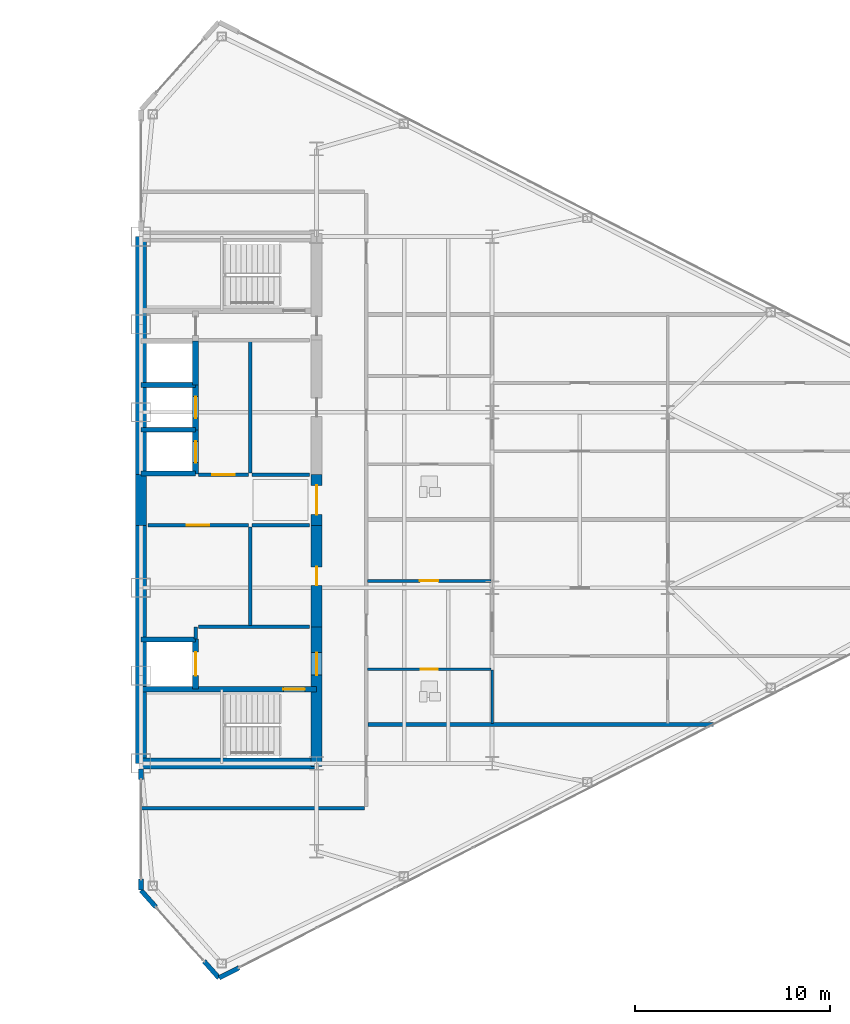
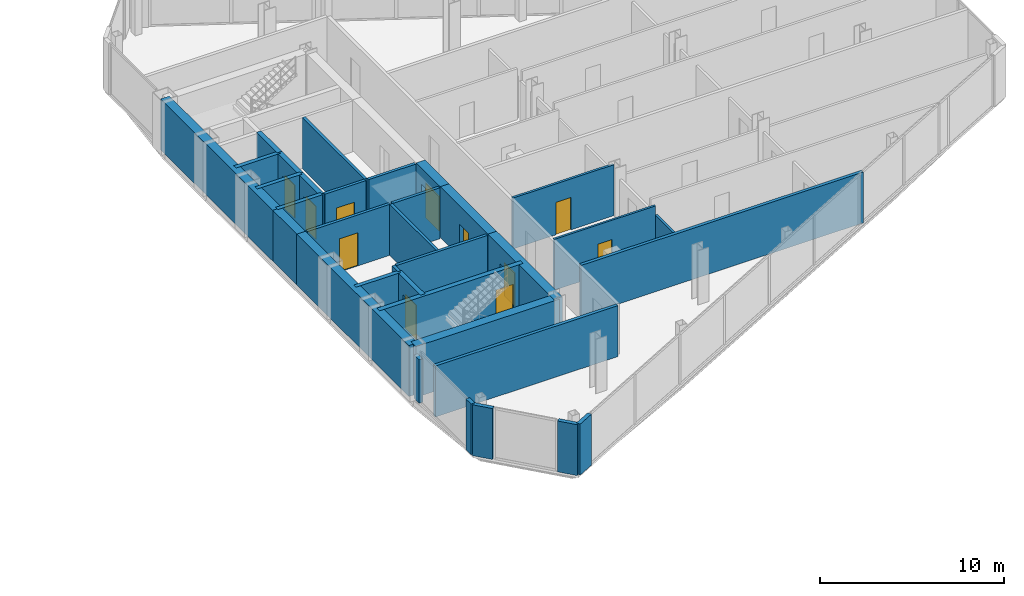
# One storey, part 18 of 23: 34 walls, 11 doors, 11 openings.
"""IFC4 building model written with IfcOpenShell, lengths in metres."""

from ifc_helpers import new_model, si_unit, direction, frame, frame_2d, origin, place, context, subcontext, project, spatial, rectangle, extrude, source, transform, mapped, material, layer, layer_set, type_object, type_shapes, element, fill, save


model = new_model("IFC4")

# Units and contexts
model_context = context("Model", 3, precision=1e-05, world=origin(), true_north=direction((0.0, 1.0)))
body_context = subcontext(model_context, "Body", "Model", "MODEL_VIEW")
ifc_project = project(units=[si_unit("LENGTHUNIT", "METRE"), si_unit("AREAUNIT", "SQUARE_METRE"), si_unit("VOLUMEUNIT", "CUBIC_METRE"), si_unit("PLANEANGLEUNIT", "RADIAN"), si_unit("MASSUNIT", "GRAM", prefix="KILO")], contexts=[model_context])

# Site, building, storey
site_placement = place(None, origin())
site = spatial("IfcSite", under=ifc_project, at=site_placement, CompositionType="ELEMENT")
building_placement = place(site_placement, origin())
building = spatial("IfcBuilding", under=site, at=building_placement, Name="Seokmaru Belvedere", CompositionType="ELEMENT")
storey_placement = place(building_placement, frame((0.0, 0.0, 144.0)))
storey = spatial("IfcBuildingStorey", under=building, at=storey_placement, Name="L38", CompositionType="ELEMENT", Elevation=144.0)

# Wall, opening, door
ifc_material_1 = material(Name="Fire-Rated Gypsum Shaftwall")
ifc_layer_1 = layer(ifc_material_1, 0.14990234375)
ifc_layer_set_1 = layer_set([ifc_layer_1], Name="Fire-Rated Gypsum Shaftwall")
wall_type_1 = type_object("IfcWallType", Name="Apartment Fire-Acoustic Room Partition 150", PredefinedType="PARTITIONING", material=ifc_layer_set_1)
wall_1_placement = place(storey_placement, frame((39.10009765625, -4.14990234375, 0.0), z_axis=(0.0, 0.0, 1.0), x_axis=(1.0, 0.0, 0.0)))
wall_1 = element("IfcWall", 1, at=wall_1_placement, inside=storey, type_object=wall_type_1, Name="L38 Interior Partition 014", PredefinedType="PARTITIONING", context=body_context, shape_type="SweptSolid", body=[
    extrude(rectangle(XDim=6.349853515625, YDim=0.14990234375, at=frame_2d((3.1748046875, 0.0))), origin(), (0.0, 0.0, 1.0), 3.3798828125),
])
opening_1_placement = place(wall_1_placement, frame((2.699951171875, 0.0, 0.0)))
opening_1 = element("IfcOpeningElement", 2, at=opening_1_placement, cuts=wall_1, Name="Opening D05", PredefinedType="OPENING", context=body_context, shape_type="SweptSolid", body=[
    extrude(rectangle(XDim=0.949951171875, YDim=2.14990234375, at=frame_2d((0.47509765625, 1.074951171875))), frame((0.0, 0.0849609375, 0.0), z_axis=(0.0, -1.0, 0.0), x_axis=(1.0, 0.0, 0.0)), (0.0, 0.0, 1.0), 0.169921875),
])
ifc_material_2 = material(Name="Engineered White Oak Timber", Category="wood")
door_type_1 = type_object("IfcDoorType", Name="Apartment Interior Fire-Rated Oak Door 950x2150", OperationType="NOTDEFINED", PredefinedType="DOOR", material=ifc_material_2)
shared_shape_1 = source(origin(), body_context, "Body", "SweptSolid", [
    extrude(rectangle(XDim=0.949951171875, YDim=2.14990234375, at=frame_2d((0.47509765625, 1.074951171875))), frame((0.0, 0.02490234375, 0.0), z_axis=(0.0, -1.0, 0.0), x_axis=(1.0, 0.0, 0.0)), (0.0, 0.0, 1.0), 0.050048828125),
])
type_shapes(door_type_1, [shared_shape_1])
door_1_placement = place(opening_1_placement, origin())
door_1 = element("IfcDoor", 3, at=door_1_placement, inside=storey, type_object=door_type_1, Name="L38 Interior Door 039", OperationType="SINGLE_SWING_RIGHT", OverallHeight=2.14990234375, OverallWidth=0.949951171875, PredefinedType="DOOR", context=body_context, shape_type="MappedRepresentation", body=[
    mapped(shared_shape_1, transform((0.0, 0.0, 0.0), scale=1.0)),
])
fill(opening_1, door_1)

# Walls
ifc_layer_2 = layer(ifc_material_1, 0.179931640625)
ifc_layer_set_2 = layer_set([ifc_layer_2], Name="Fire-Rated Gypsum Shaftwall")
wall_type_2 = type_object("IfcWallType", Name="Core Service Fire Partition 180", PredefinedType="PARTITIONING", material=ifc_layer_set_2)
wall_2_placement = place(storey_placement, frame((30.449951171875, -6.5, 0.0), z_axis=(0.0, 0.0, 1.0), x_axis=(1.0, 0.0, 0.0)))
element("IfcWall", 4, at=wall_2_placement, inside=storey, type_object=wall_type_2, Name="L38 East Firefighting Lobby Partition", PredefinedType="PARTITIONING", context=body_context, shape_type="SweptSolid", body=[
    extrude(rectangle(XDim=5.699951171875, YDim=0.179931640625, at=frame_2d((2.85009765625, 0.0))), origin(), (0.0, 0.0, 1.0), 3.3798828125),
])
wall_3_placement = place(storey_placement, frame((30.300048828125, -7.1201171875, 0.0), z_axis=(0.0, 0.0, 1.0), x_axis=(0.0, 1.0, 0.0)))
element("IfcWall", 5, at=wall_3_placement, inside=storey, type_object=wall_type_2, Name="L38 East Firefighting Lobby East Closure Wall", PredefinedType="PARTITIONING", context=body_context, shape_type="SweptSolid", body=[
    extrude(rectangle(XDim=0.6201171875, YDim=0.179931640625, at=frame_2d((0.31005859375, 0.0))), origin(), (0.0, 0.0, 1.0), 3.3798828125),
])
wall_4_placement = place(storey_placement, frame((33.10009765625, -6.419921875, 0.0), z_axis=(0.0, 0.0, 1.0), x_axis=(0.0, 1.0, 0.0)))
element("IfcWall", 6, at=wall_4_placement, inside=storey, type_object=wall_type_2, Name="L38 East South Core Service Back Wall", PredefinedType="PARTITIONING", context=body_context, shape_type="SweptSolid", body=[
    extrude(rectangle(XDim=5.0400390625, YDim=0.179931640625, at=frame_2d((2.52001953125, 0.0))), origin(), (0.0, 0.0, 1.0), 3.3798828125),
])
wall_5_placement = place(storey_placement, frame((33.10009765625, 1.3798828125, 0.0), z_axis=(0.0, 0.0, 1.0), x_axis=(0.0, 1.0, 0.0)))
element("IfcWall", 7, at=wall_5_placement, inside=storey, type_object=wall_type_2, Name="L38 East North Core Service Back Wall", PredefinedType="PARTITIONING", context=body_context, shape_type="SweptSolid", body=[
    extrude(rectangle(XDim=6.740234375, YDim=0.179931640625, at=frame_2d((3.3701171875, 0.0))), origin(), (0.0, 0.0, 1.0), 3.3798828125),
])

# Wall, opening, door
wall_6_placement = place(storey_placement, frame((27.85009765625, -1.300048828125, 0.0), z_axis=(0.0, 0.0, 1.0), x_axis=(1.0, 0.0, 0.0)))
wall_6 = element("IfcWall", 8, at=wall_6_placement, inside=storey, type_object=wall_type_2, Name="L38 East South Lift Lobby Foyer Wall", PredefinedType="PARTITIONING", context=body_context, shape_type="SweptSolid", body=[
    extrude(rectangle(XDim=5.169921875, YDim=0.179931640625, at=frame_2d((2.5849609375, 0.0))), origin(), (0.0, 0.0, 1.0), 3.3798828125),
])
opening_2_placement = place(wall_6_placement, frame((2.010009765625, 0.0, 0.0)))
opening_2 = element("IfcOpeningElement", 9, at=opening_2_placement, cuts=wall_6, Name="Opening D02", PredefinedType="OPENING", context=body_context, shape_type="SweptSolid", body=[
    extrude(rectangle(XDim=1.14990234375, YDim=2.199951171875, at=frame_2d((0.574951171875, 1.10009765625))), frame((0.0, 0.10009765625, 0.0), z_axis=(0.0, -1.0, 0.0), x_axis=(1.0, 0.0, 0.0)), (0.0, 0.0, 1.0), 0.199951171875),
])
ifc_material_3 = material(Name="Fire-Rated Steel Leaf", Category="steel")
door_type_2 = type_object("IfcDoorType", Name="Lobby and Vestibule Fire Door 1150x2200", OperationType="NOTDEFINED", PredefinedType="DOOR", material=ifc_material_3)
shared_shape_2 = source(origin(), body_context, "Body", "SweptSolid", [
    extrude(rectangle(XDim=1.14990234375, YDim=2.199951171875, at=frame_2d((0.574951171875, 1.10009765625))), frame((0.0, 0.02490234375, 0.0), z_axis=(0.0, -1.0, 0.0), x_axis=(1.0, 0.0, 0.0)), (0.0, 0.0, 1.0), 0.050048828125),
])
type_shapes(door_type_2, [shared_shape_2])
door_2_placement = place(opening_2_placement, origin())
door_2 = element("IfcDoor", 10, at=door_2_placement, inside=storey, type_object=door_type_2, Name="L38 East South Core Foyer Door", OperationType="SINGLE_SWING_RIGHT", OverallHeight=2.199951171875, OverallWidth=1.14990234375, PredefinedType="DOOR", context=body_context, shape_type="MappedRepresentation", body=[
    mapped(shared_shape_2, transform((0.0, 0.0, 0.0), scale=1.0)),
])
fill(opening_2, door_2)

wall_7_placement = place(storey_placement, frame((30.449951171875, 1.300048828125, 0.0), z_axis=(0.0, 0.0, 1.0), x_axis=(1.0, 0.0, 0.0)))
wall_7 = element("IfcWall", 11, at=wall_7_placement, inside=storey, type_object=wall_type_2, Name="L38 East North Lift Lobby Foyer Wall", PredefinedType="PARTITIONING", context=body_context, shape_type="SweptSolid", body=[
    extrude(rectangle(XDim=2.570068359375, YDim=0.179931640625, at=frame_2d((1.28515625, 0.0))), origin(), (0.0, 0.0, 1.0), 3.3798828125),
])
opening_3_placement = place(wall_7_placement, frame((0.7099609375, 0.0, 0.0)))
opening_3 = element("IfcOpeningElement", 12, at=opening_3_placement, cuts=wall_7, Name="Opening D02", PredefinedType="OPENING", context=body_context, shape_type="SweptSolid", body=[
    extrude(rectangle(XDim=1.14990234375, YDim=2.199951171875, at=frame_2d((0.574951171875, 1.10009765625))), frame((0.0, 0.10009765625, 0.0), z_axis=(0.0, -1.0, 0.0), x_axis=(1.0, 0.0, 0.0)), (0.0, 0.0, 1.0), 0.199951171875),
])
door_3_placement = place(opening_3_placement, origin())
door_3 = element("IfcDoor", 13, at=door_3_placement, inside=storey, type_object=door_type_2, Name="L38 East North Lift Lobby Door", OperationType="SINGLE_SWING_LEFT", OverallHeight=2.199951171875, OverallWidth=1.14990234375, PredefinedType="DOOR", context=body_context, shape_type="MappedRepresentation", body=[
    mapped(shared_shape_2, transform((0.0, 0.0, 0.0), scale=1.0)),
])
fill(opening_3, door_3)

# Walls
for number, where, z_axis, x_axis, name in (
    (14, (33.199951171875, -1.300048828125, 0.0), (0.0, 0.0, 1.0), (1.0, 0.0, 0.0), "L38 East Foyer Side Wall S"),
    (15, (33.199951171875, 1.300048828125, 0.0), (0.0, 0.0, 1.0), (1.0, 0.0, 0.0), "L38 East Foyer Side Wall N"),
):
    element("IfcWall", number, at=place(storey_placement, frame(where, z_axis=z_axis, x_axis=x_axis)), inside=storey, type_object=wall_type_2, Name=name, PredefinedType="PARTITIONING", context=body_context, shape_type="SweptSolid", body=[
        extrude(rectangle(XDim=2.949951171875, YDim=0.179931640625, at=frame_2d((1.47509765625, 0.0))), origin(), (0.0, 0.0, 1.0), 3.3798828125),
    ])
ifc_material_4 = material(Name="Concrete C50 (50 MPa)", Category="concrete")
ifc_layer_3 = layer(ifc_material_4, 0.25)
ifc_layer_set_3 = layer_set([ifc_layer_3], Name="Concrete C50 (50 MPa)")
wall_type_3 = type_object("IfcWallType", Name="Hoistway Transverse Concrete Divider Wall 250", PredefinedType="SHEAR", material=ifc_layer_set_3)
for number, where, z_axis, x_axis, name in (
    (16, (27.5, -7.14990234375, 0.0), (0.0, 0.0, 1.0), (1.0, 0.0, 0.0), "L38 East Hoistway Divider Core Wall 1"),
    (17, (27.5, 1.35009765625, 0.0), (0.0, 0.0, 1.0), (1.0, 0.0, 0.0), "L38 East Hoistway Divider Core Wall 2"),
    (18, (27.5, 3.60009765625, 0.0), (0.0, 0.0, 1.0), (1.0, 0.0, 0.0), "L38 East Hoistway Divider Core Wall 3"),
    (19, (27.5, 5.89990234375, 0.0), (0.0, 0.0, 1.0), (1.0, 0.0, 0.0), "L38 East Hoistway Divider Core Wall 4"),
):
    element("IfcWall", number, at=place(storey_placement, frame(where, z_axis=z_axis, x_axis=x_axis)), inside=storey, type_object=wall_type_3, Name=name, PredefinedType="SHEAR", context=body_context, shape_type="SweptSolid", body=[
        extrude(rectangle(XDim=2.800048828125, YDim=0.25, at=frame_2d((1.39990234375, 0.0))), origin(), (0.0, 0.0, 1.0), 3.3798828125),
    ])
ifc_layer_4 = layer(ifc_material_1, 0.199951171875)
ifc_layer_set_4 = layer_set([ifc_layer_4], Name="Fire-Rated Gypsum Shaftwall")
wall_type_4 = type_object("IfcWallType", Name="Inter-Tenancy Fire Compartment Partition 200", PredefinedType="PARTITIONING", material=ifc_layer_set_4)
wall_8_placement = place(storey_placement, frame((27.5, -15.800048828125, 0.0), z_axis=(0.0, 0.0, 1.0), x_axis=(1.0, 0.0, 0.0)))
element("IfcWall", 20, at=wall_8_placement, inside=storey, type_object=wall_type_4, Name="L38 Interior Partition 004", PredefinedType="PARTITIONING", context=body_context, shape_type="SweptSolid", body=[
    extrude(rectangle(XDim=11.465087890625, YDim=0.199951171875, at=frame_2d((5.732421875, 0.0))), origin(), (0.0, 0.0, 1.0), 3.3798828125),
])
wall_9_placement = place(storey_placement, frame((39.1298828125, -11.5, 0.0), z_axis=(0.0, 0.0, 1.0), x_axis=(1.0, 0.0, 0.0)))
element("IfcWall", 21, at=wall_9_placement, inside=storey, type_object=wall_type_4, Name="L38 Interior Partition 008", PredefinedType="PARTITIONING", context=body_context, shape_type="SweptSolid", body=[
    extrude(rectangle(XDim=17.714111328125, YDim=0.199951171875, at=frame_2d((8.85693359375, 0.0))), origin(), (0.0, 0.0, 1.0), 3.3798828125),
])

# Wall, opening, door
ifc_layer_5 = layer(ifc_material_4, 0.300048828125)
ifc_layer_set_5 = layer_set([ifc_layer_5], Name="Concrete C50 (50 MPa)")
wall_type_5 = type_object("IfcWallType", Name="Internal Core Stair and Hoistway Wall 300", PredefinedType="SHEAR", material=ifc_layer_set_5)
wall_10_placement = place(storey_placement, frame((27.5, -9.699951171875, 0.0), z_axis=(0.0, 0.0, 1.0), x_axis=(1.0, 0.0, 0.0)))
wall_10 = element("IfcWall", 22, at=wall_10_placement, inside=storey, type_object=wall_type_5, Name="L38 East Stair ST-1 Enclosure Wall", PredefinedType="SHEAR", context=body_context, shape_type="SweptSolid", body=[
    extrude(rectangle(XDim=9.0, YDim=0.300048828125, at=frame_2d((4.5, 0.0))), origin(), (0.0, 0.0, 1.0), 3.3798828125),
])
opening_4_placement = place(wall_10_placement, frame((7.300048828125, 0.0, 0.0)))
opening_4 = element("IfcOpeningElement", 23, at=opening_4_placement, cuts=wall_10, Name="Opening D01", PredefinedType="OPENING", context=body_context, shape_type="SweptSolid", body=[
    extrude(rectangle(XDim=1.10009765625, YDim=2.199951171875, at=frame_2d((0.550048828125, 1.10009765625))), frame((0.0, 0.16015625, 0.0), z_axis=(0.0, -1.0, 0.0), x_axis=(1.0, 0.0, 0.0)), (0.0, 0.0, 1.0), 0.320068359375),
])
door_type_3 = type_object("IfcDoorType", Name="Special Escape Stair Smokeproof Fire Door 1100x2200", OperationType="NOTDEFINED", PredefinedType="DOOR", material=ifc_material_3)
shared_shape_3 = source(origin(), body_context, "Body", "SweptSolid", [
    extrude(rectangle(XDim=1.10009765625, YDim=2.199951171875, at=frame_2d((0.550048828125, 1.10009765625))), frame((0.0, 0.02490234375, 0.0), z_axis=(0.0, -1.0, 0.0), x_axis=(1.0, 0.0, 0.0)), (0.0, 0.0, 1.0), 0.050048828125),
])
type_shapes(door_type_3, [shared_shape_3])
door_4_placement = place(opening_4_placement, frame((1.10009765625, 0.0, 0.0), z_axis=(0.0, 0.0, 1.0), x_axis=(-1.0, 0.0, 0.0)))
door_4 = element("IfcDoor", 24, at=door_4_placement, inside=storey, type_object=door_type_3, Name="L38 East Special Escape Stair ST-1 Door", OperationType="SINGLE_SWING_RIGHT", OverallHeight=2.199951171875, OverallWidth=1.10009765625, PredefinedType="DOOR", context=body_context, shape_type="MappedRepresentation", body=[
    mapped(shared_shape_3, transform((0.0, 0.0, 0.0), scale=1.0)),
])
fill(opening_4, door_4)

wall_11_placement = place(storey_placement, frame((30.300048828125, -9.679931640625, 0.0), z_axis=(0.0, 0.0, 1.0), x_axis=(0.0, 1.0, 0.0)))
wall_11 = element("IfcWall", 25, at=wall_11_placement, inside=storey, type_object=wall_type_5, Name="L38 East Firefighting Lift Shaft Front Wall", PredefinedType="SHEAR", context=body_context, shape_type="SweptSolid", body=[
    extrude(rectangle(XDim=2.559814453125, YDim=0.300048828125, at=frame_2d((1.27978515625, 0.0))), origin(), (0.0, 0.0, 1.0), 3.3798828125),
])
opening_5_placement = place(wall_11_placement, frame((0.679931640625, 0.0, 0.0)))
opening_5 = element("IfcOpeningElement", 26, at=opening_5_placement, cuts=wall_11, Name="Opening LD2", PredefinedType="OPENING", context=body_context, shape_type="SweptSolid", body=[
    extrude(rectangle(XDim=1.199951171875, YDim=2.25, at=frame_2d((0.60009765625, 1.125))), frame((0.0, 0.16015625, 0.0), z_axis=(0.0, -1.0, 0.0), x_axis=(1.0, 0.0, 0.0)), (0.0, 0.0, 1.0), 0.320068359375),
])
ifc_material_5 = material(Name="Stainless Steel 316", Category="steel")
door_type_4 = type_object("IfcDoorType", Name="Firefighting Lift Sliding Landing Door 1200x2250", OperationType="DOUBLE_DOOR_SLIDING", PredefinedType="DOOR", material=ifc_material_5)
shared_shape_4 = source(origin(), body_context, "Body", "SweptSolid", [
    extrude(rectangle(XDim=1.199951171875, YDim=2.25, at=frame_2d((0.60009765625, 1.125))), frame((0.0, 0.02490234375, 0.0), z_axis=(0.0, -1.0, 0.0), x_axis=(1.0, 0.0, 0.0)), (0.0, 0.0, 1.0), 0.050048828125),
])
type_shapes(door_type_4, [shared_shape_4])
door_5_placement = place(opening_5_placement, origin())
door_5 = element("IfcDoor", 27, at=door_5_placement, inside=storey, type_object=door_type_4, Name="L38 East Firefighting Lift Landing Door", OperationType="DOUBLE_DOOR_SLIDING", OverallHeight=2.25, OverallWidth=1.199951171875, PredefinedType="DOOR", context=body_context, shape_type="MappedRepresentation", body=[
    mapped(shared_shape_4, transform((0.0, 0.0, 0.0), scale=1.0)),
])
fill(opening_5, door_5)

wall_12_placement = place(storey_placement, frame((30.300048828125, 1.320068359375, 0.0), z_axis=(0.0, 0.0, 1.0), x_axis=(0.0, 1.0, 0.0)))
wall_12 = element("IfcWall", 28, at=wall_12_placement, inside=storey, type_object=wall_type_5, Name="L38 East North Hoistway Wall PH1", PredefinedType="SHEAR", context=body_context, shape_type="SweptSolid", body=[
    extrude(rectangle(XDim=2.280029296875, YDim=0.300048828125, at=frame_2d((1.14013671875, 0.0))), origin(), (0.0, 0.0, 1.0), 3.3798828125),
])
opening_6_placement = place(wall_12_placement, frame((0.590087890625, 0.0, 0.0)))
opening_6 = element("IfcOpeningElement", 29, at=opening_6_placement, cuts=wall_12, Name="Opening LD1", PredefinedType="OPENING", context=body_context, shape_type="SweptSolid", body=[
    extrude(rectangle(XDim=1.10009765625, YDim=2.199951171875, at=frame_2d((0.550048828125, 1.10009765625))), frame((0.0, 0.16015625, 0.0), z_axis=(0.0, -1.0, 0.0), x_axis=(1.0, 0.0, 0.0)), (0.0, 0.0, 1.0), 0.320068359375),
])
door_type_5 = type_object("IfcDoorType", Name="Passenger Lift Sliding Landing Door 1100x2200", OperationType="DOUBLE_DOOR_SLIDING", PredefinedType="DOOR", material=ifc_material_5)
shared_shape_5 = source(origin(), body_context, "Body", "SweptSolid", [
    extrude(rectangle(XDim=1.10009765625, YDim=2.199951171875, at=frame_2d((0.550048828125, 1.10009765625))), frame((0.0, 0.02490234375, 0.0), z_axis=(0.0, -1.0, 0.0), x_axis=(1.0, 0.0, 0.0)), (0.0, 0.0, 1.0), 0.050048828125),
])
type_shapes(door_type_5, [shared_shape_5])
door_6_placement = place(opening_6_placement, origin())
door_6 = element("IfcDoor", 30, at=door_6_placement, inside=storey, type_object=door_type_5, Name="L38 East High-Rise Lift PH-1 Landing Door", OperationType="DOUBLE_DOOR_SLIDING", OverallHeight=2.199951171875, OverallWidth=1.10009765625, PredefinedType="DOOR", context=body_context, shape_type="MappedRepresentation", body=[
    mapped(shared_shape_5, transform((0.0, 0.0, 0.0), scale=1.0)),
])
fill(opening_6, door_6)

wall_13_placement = place(storey_placement, frame((30.300048828125, 3.60009765625, 0.0), z_axis=(0.0, 0.0, 1.0), x_axis=(0.0, 1.0, 0.0)))
wall_13 = element("IfcWall", 31, at=wall_13_placement, inside=storey, type_object=wall_type_5, Name="L38 East North Hoistway Wall PH2", PredefinedType="SHEAR", context=body_context, shape_type="SweptSolid", body=[
    extrude(rectangle(XDim=2.2998046875, YDim=0.300048828125, at=frame_2d((1.14990234375, 0.0))), origin(), (0.0, 0.0, 1.0), 3.3798828125),
])
opening_7_placement = place(wall_13_placement, frame((0.60009765625, 0.0, 0.0)))
opening_7 = element("IfcOpeningElement", 32, at=opening_7_placement, cuts=wall_13, Name="Opening LD1", PredefinedType="OPENING", context=body_context, shape_type="SweptSolid", body=[
    extrude(rectangle(XDim=1.10009765625, YDim=2.199951171875, at=frame_2d((0.550048828125, 1.10009765625))), frame((0.0, 0.16015625, 0.0), z_axis=(0.0, -1.0, 0.0), x_axis=(1.0, 0.0, 0.0)), (0.0, 0.0, 1.0), 0.320068359375),
])
door_7_placement = place(opening_7_placement, origin())
door_7 = element("IfcDoor", 33, at=door_7_placement, inside=storey, type_object=door_type_5, Name="L38 East High-Rise Lift PH-2 Landing Door", OperationType="DOUBLE_DOOR_SLIDING", OverallHeight=2.199951171875, OverallWidth=1.10009765625, PredefinedType="DOOR", context=body_context, shape_type="MappedRepresentation", body=[
    mapped(shared_shape_5, transform((0.0, 0.0, 0.0), scale=1.0)),
])
fill(opening_7, door_7)

# Walls
wall_14_placement = place(storey_placement, frame((30.300048828125, 5.89990234375, 0.0), z_axis=(0.0, 0.0, 1.0), x_axis=(0.0, 1.0, 0.0)))
element("IfcWall", 34, at=wall_14_placement, inside=storey, type_object=wall_type_5, Name="L38 East North Hoistway Wall OBS", PredefinedType="SHEAR", context=body_context, shape_type="SweptSolid", body=[
    extrude(rectangle(XDim=2.25, YDim=0.300048828125, at=frame_2d((1.125, 0.0))), origin(), (0.0, 0.0, 1.0), 3.3798828125),
])
ifc_layer_6 = layer(ifc_material_4, 0.550048828125)
ifc_layer_set_6 = layer_set([ifc_layer_6], Name="Concrete C50 (50 MPa)")
wall_type_6 = type_object("IfcWallType", Name="Mid-High Reinforced Concrete Core Wall 550", PredefinedType="SHEAR", material=ifc_layer_set_6)
for number, where, z_axis, x_axis, name in (
    (35, (27.5, -13.5, 0.0), (0.0, 0.0, 1.0), (0.0, 1.0, 0.0), "L38 East Portal Spine Core Wall South"),
    (36, (27.5, 1.300048828125, 0.0), (0.0, 0.0, 1.0), (0.0, 1.0, 0.0), "L38 East Portal Spine Core Wall North"),
):
    element("IfcWall", number, at=place(storey_placement, frame(where, z_axis=z_axis, x_axis=x_axis)), inside=storey, type_object=wall_type_6, Name=name, PredefinedType="SHEAR", context=body_context, shape_type="SweptSolid", body=[
        extrude(rectangle(XDim=12.199951171875, YDim=0.550048828125, at=frame_2d((6.10009765625, 0.0))), origin(), (0.0, 0.0, 1.0), 3.3798828125),
    ])
wall_15_placement = place(storey_placement, frame((27.5, -1.300048828125, 0.0), z_axis=(0.0, 0.0, 1.0), x_axis=(0.0, 1.0, 0.0)))
element("IfcWall", 37, at=wall_15_placement, inside=storey, type_object=wall_type_6, Name="L38 East Portal Spine Core Wall Center", PredefinedType="SHEAR", context=body_context, shape_type="SweptSolid", body=[
    extrude(rectangle(XDim=2.60009765625, YDim=0.550048828125, at=frame_2d((1.300048828125, 0.0))), origin(), (0.0, 0.0, 1.0), 3.3798828125),
])
wall_16_placement = place(storey_placement, frame((27.5, -13.5, 0.0), z_axis=(0.0, 0.0, 1.0), x_axis=(1.0, 0.0, 0.0)))
element("IfcWall", 38, at=wall_16_placement, inside=storey, type_object=wall_type_6, Name="L38 East South Core Wall", PredefinedType="SHEAR", context=body_context, shape_type="SweptSolid", body=[
    extrude(rectangle(XDim=9.0, YDim=0.550048828125, at=frame_2d((4.5, 0.0))), origin(), (0.0, 0.0, 1.0), 3.3798828125),
])

# Wall, opening, door
wall_17_placement = place(storey_placement, frame((36.5, -13.64990234375, 0.0), z_axis=(0.0, 0.0, 1.0), x_axis=(0.0, 1.0, 0.0)))
wall_17 = element("IfcWall", 39, at=wall_17_placement, inside=storey, type_object=wall_type_6, Name="L38 East West Core Wall FF", PredefinedType="SHEAR", context=body_context, shape_type="SweptSolid", body=[
    extrude(rectangle(XDim=7.14990234375, YDim=0.550048828125, at=frame_2d((3.574951171875, 0.0))), origin(), (0.0, 0.0, 1.0), 3.3798828125),
])
opening_8_placement = place(wall_17_placement, frame((4.675048828125, 0.0, 0.0)))
opening_8 = element("IfcOpeningElement", 40, at=opening_8_placement, cuts=wall_17, Name="Opening D02", PredefinedType="OPENING", context=body_context, shape_type="SweptSolid", body=[
    extrude(rectangle(XDim=1.14990234375, YDim=2.199951171875, at=frame_2d((0.574951171875, 1.10009765625))), frame((0.0, 0.28515625, 0.0), z_axis=(0.0, -1.0, 0.0), x_axis=(1.0, 0.0, 0.0)), (0.0, 0.0, 1.0), 0.570068359375),
])
door_8_placement = place(opening_8_placement, origin())
door_8 = element("IfcDoor", 41, at=door_8_placement, inside=storey, type_object=door_type_2, Name="L38 East Firefighting Lobby Door", OperationType="SINGLE_SWING_RIGHT", OverallHeight=2.199951171875, OverallWidth=1.14990234375, PredefinedType="DOOR", context=body_context, shape_type="MappedRepresentation", body=[
    mapped(shared_shape_2, transform((0.0, 0.0, 0.0), scale=1.0)),
])
fill(opening_8, door_8)

wall_18_placement = place(storey_placement, frame((36.5, -1.300048828125, 0.0), z_axis=(0.0, 0.0, 1.0), x_axis=(0.0, 1.0, 0.0)))
wall_18 = element("IfcWall", 42, at=wall_18_placement, inside=storey, type_object=wall_type_6, Name="L38 East West Core Wall FOY", PredefinedType="SHEAR", context=body_context, shape_type="SweptSolid", body=[
    extrude(rectangle(XDim=2.60009765625, YDim=0.550048828125, at=frame_2d((1.300048828125, 0.0))), origin(), (0.0, 0.0, 1.0), 3.3798828125),
])
opening_9_placement = place(wall_18_placement, frame((0.550048828125, 0.0, 0.0)))
opening_9 = element("IfcOpeningElement", 43, at=opening_9_placement, cuts=wall_18, Name="Opening D08", PredefinedType="OPENING", context=body_context, shape_type="SweptSolid", body=[
    extrude(rectangle(XDim=1.5, YDim=2.300048828125, at=frame_2d((0.75, 1.14990234375))), frame((0.0, 0.28515625, 0.0), z_axis=(0.0, -1.0, 0.0), x_axis=(1.0, 0.0, 0.0)), (0.0, 0.0, 1.0), 0.570068359375),
])
door_type_6 = type_object("IfcDoorType", Name="Cross-Corridor Compartment Double Fire Door 1500x2300", OperationType="DOUBLE_SWING_LEFT", PredefinedType="DOOR", material=ifc_material_3)
shared_shape_6 = source(origin(), body_context, "Body", "SweptSolid", [
    extrude(rectangle(XDim=1.5, YDim=2.300048828125, at=frame_2d((0.75, 1.14990234375))), frame((0.0, 0.02490234375, 0.0), z_axis=(0.0, -1.0, 0.0), x_axis=(1.0, 0.0, 0.0)), (0.0, 0.0, 1.0), 0.050048828125),
])
type_shapes(door_type_6, [shared_shape_6])
door_9_placement = place(opening_9_placement, origin())
door_9 = element("IfcDoor", 44, at=door_9_placement, inside=storey, type_object=door_type_6, Name="L38 East Core Foyer Compartment Door", OperationType="DOUBLE_SWING_LEFT", OverallHeight=2.300048828125, OverallWidth=1.5, PredefinedType="DOOR", context=body_context, shape_type="MappedRepresentation", body=[
    mapped(shared_shape_6, transform((0.0, 0.0, 0.0), scale=1.0)),
])
fill(opening_9, door_9)

wall_19_placement = place(storey_placement, frame((36.5, -6.5, 0.0), z_axis=(0.0, 0.0, 1.0), x_axis=(0.0, 1.0, 0.0)))
wall_19 = element("IfcWall", 45, at=wall_19_placement, inside=storey, type_object=wall_type_6, Name="L38 East West Core Wall CS1", PredefinedType="SHEAR", context=body_context, shape_type="SweptSolid", body=[
    extrude(rectangle(XDim=5.199951171875, YDim=0.550048828125, at=frame_2d((2.60009765625, 0.0))), origin(), (0.0, 0.0, 1.0), 3.3798828125),
])
opening_10_placement = place(wall_19_placement, frame((2.125, 0.0, 0.0)))
opening_10 = element("IfcOpeningElement", 46, at=opening_10_placement, cuts=wall_19, Name="Opening D04", PredefinedType="OPENING", context=body_context, shape_type="SweptSolid", body=[
    extrude(rectangle(XDim=0.949951171875, YDim=2.14990234375, at=frame_2d((0.47509765625, 1.074951171875))), frame((0.0, 0.28515625, 0.0), z_axis=(0.0, -1.0, 0.0), x_axis=(1.0, 0.0, 0.0)), (0.0, 0.0, 1.0), 0.570068359375),
])
door_type_7 = type_object("IfcDoorType", Name="Core Service Room Fire Door 950x2150", OperationType="NOTDEFINED", PredefinedType="DOOR", material=ifc_material_3)
shared_shape_7 = source(origin(), body_context, "Body", "SweptSolid", [
    extrude(rectangle(XDim=0.949951171875, YDim=2.14990234375, at=frame_2d((0.47509765625, 1.074951171875))), frame((0.0, 0.02490234375, 0.0), z_axis=(0.0, -1.0, 0.0), x_axis=(1.0, 0.0, 0.0)), (0.0, 0.0, 1.0), 0.050048828125),
])
type_shapes(door_type_7, [shared_shape_7])
door_10_placement = place(opening_10_placement, origin())
door_10 = element("IfcDoor", 47, at=door_10_placement, inside=storey, type_object=door_type_7, Name="L38 East Core Service Room Door 1", OperationType="SINGLE_SWING_RIGHT", OverallHeight=2.14990234375, OverallWidth=0.949951171875, PredefinedType="DOOR", context=body_context, shape_type="MappedRepresentation", body=[
    mapped(shared_shape_7, transform((0.0, 0.0, 0.0), scale=1.0)),
])
fill(opening_10, door_10)

ifc_layer_7 = layer(ifc_material_1, 0.1298828125)
ifc_layer_set_7 = layer_set([ifc_layer_7], Name="Fire-Rated Gypsum Shaftwall")
wall_type_7 = type_object("IfcWallType", Name="Moisture-Resistant Fire-Rated Bathroom Partition 130", PredefinedType="PARTITIONING", material=ifc_layer_set_7)
wall_20_placement = place(storey_placement, frame((39.10009765625, -8.669921875, 0.0), z_axis=(0.0, 0.0, 1.0), x_axis=(1.0, 0.0, 0.0)))
wall_20 = element("IfcWall", 48, at=wall_20_placement, inside=storey, type_object=wall_type_7, Name="L38 Interior Partition 009", PredefinedType="PARTITIONING", context=body_context, shape_type="SweptSolid", body=[
    extrude(rectangle(XDim=6.349853515625, YDim=0.1298828125, at=frame_2d((3.1748046875, 0.0))), origin(), (0.0, 0.0, 1.0), 3.3798828125),
])
opening_11_placement = place(wall_20_placement, frame((2.735107421875, 0.0, 0.0)))
opening_11 = element("IfcOpeningElement", 49, at=opening_11_placement, cuts=wall_20, Name="Opening D06", PredefinedType="OPENING", context=body_context, shape_type="SweptSolid", body=[
    extrude(rectangle(XDim=0.8798828125, YDim=2.10009765625, at=frame_2d((0.43994140625, 1.050048828125))), frame((0.0, 0.074951171875, 0.0), z_axis=(0.0, -1.0, 0.0), x_axis=(1.0, 0.0, 0.0)), (0.0, 0.0, 1.0), 0.14990234375),
])
door_type_8 = type_object("IfcDoorType", Name="Bathroom and Restroom Fire-Rated Door 880x2100", OperationType="NOTDEFINED", PredefinedType="DOOR", material=ifc_material_2)
shared_shape_8 = source(origin(), body_context, "Body", "SweptSolid", [
    extrude(rectangle(XDim=0.8798828125, YDim=2.10009765625, at=frame_2d((0.43994140625, 1.050048828125))), frame((0.0, 0.02490234375, 0.0), z_axis=(0.0, -1.0, 0.0), x_axis=(1.0, 0.0, 0.0)), (0.0, 0.0, 1.0), 0.050048828125),
])
type_shapes(door_type_8, [shared_shape_8])
door_11_placement = place(opening_11_placement, origin())
door_11 = element("IfcDoor", 50, at=door_11_placement, inside=storey, type_object=door_type_8, Name="L38 Interior Door 038", OperationType="SINGLE_SWING_RIGHT", OverallHeight=2.10009765625, OverallWidth=0.8798828125, PredefinedType="DOOR", context=body_context, shape_type="MappedRepresentation", body=[
    mapped(shared_shape_8, transform((0.0, 0.0, 0.0), scale=1.0)),
])
fill(opening_11, door_11)

# Walls
wall_21_placement = place(storey_placement, frame((45.5, -11.449951171875, 0.0), z_axis=(0.0, 0.0, 1.0), x_axis=(0.0, 1.0, 0.0)))
element("IfcWall", 51, at=wall_21_placement, inside=storey, type_object=wall_type_7, Name="L38 Interior Partition 044", PredefinedType="PARTITIONING", context=body_context, shape_type="SweptSolid", body=[
    extrude(rectangle(XDim=2.73291015625, YDim=0.1298828125, at=frame_2d((1.366455078125, 0.0))), origin(), (0.0, 0.0, 1.0), 2.780029296875),
])
ifc_material_6 = material(Name="Anodised Bronze Aluminium", Category="aluminium")
ifc_layer_8 = layer(ifc_material_6, 0.239990234375)
ifc_layer_set_8 = layer_set([ifc_layer_8], Name="Anodised Bronze Aluminium")
wall_type_8 = type_object("IfcWallType", Name="Tower Corner Spandrel Closure Wall 240", PredefinedType="SOLIDWALL", material=ifc_layer_set_8)
wall_22_placement = place(storey_placement, frame((31.5087890625, -24.495361328125, 0.0), z_axis=(0.0, 0.0, 1.0), x_axis=(0.889797395748, 0.456355776255, 0.0)))
element("IfcWall", 52, at=wall_22_placement, inside=storey, type_object=wall_type_8, Name="L38 E Corner Closure Pier 1A", PredefinedType="SOLIDWALL", context=body_context, shape_type="SweptSolid", body=[
    extrude(rectangle(XDim=1.14013671875, YDim=0.239990234375, at=frame_2d((0.570068359375, 0.0))), origin(), (0.0, 0.0, 1.0), 3.3798828125),
])
wall_23_placement = place(storey_placement, frame((27.5, -19.97998046875, 0.0), z_axis=(0.0, 0.0, 1.0), x_axis=(0.0, 1.0, 0.0)))
element("IfcWall", 53, at=wall_23_placement, inside=storey, type_object=wall_type_8, Name="L38 E Spine Closure Pier 1A", PredefinedType="SOLIDWALL", context=body_context, shape_type="SweptSolid", body=[
    extrude(rectangle(XDim=0.550048828125, YDim=0.239990234375, at=frame_2d((0.27490234375, 0.0))), origin(), (0.0, 0.0, 1.0), 3.3798828125),
])
wall_24_placement = place(storey_placement, frame((27.5, -14.330078125, 0.0), z_axis=(0.0, 0.0, 1.0), x_axis=(0.0, 1.0, 0.0)))
element("IfcWall", 54, at=wall_24_placement, inside=storey, type_object=wall_type_8, Name="L38 E Spine Closure Pier 1B", PredefinedType="SOLIDWALL", context=body_context, shape_type="SweptSolid", body=[
    extrude(rectangle(XDim=0.550048828125, YDim=0.239990234375, at=frame_2d((0.27490234375, 0.0))), origin(), (0.0, 0.0, 1.0), 2.8798828125),
])
for number, where, z_axis, x_axis, name in (
    (55, (27.506591796875, -20.007568359375, 0.0), (0.0, 0.0, 1.0), (0.664337252513, -0.747432950119, 0.0), "L38 E Corner Closure Pier 6A"),
    (56, (30.736083984375, -23.640380859375, 0.0), (0.0, 0.0, 1.0), (0.664337252513, -0.747432950119, 0.0), "L38 E Corner Closure Pier 6B"),
):
    element("IfcWall", number, at=place(storey_placement, frame(where, z_axis=z_axis, x_axis=x_axis)), inside=storey, type_object=wall_type_8, Name=name, PredefinedType="SOLIDWALL", context=body_context, shape_type="SweptSolid", body=[
        extrude(rectangle(XDim=1.139892578125, YDim=0.239990234375, at=frame_2d((0.56982421875, 0.0))), origin(), (0.0, 0.0, 1.0), 3.3798828125),
    ])

save(model, "model.ifc")
